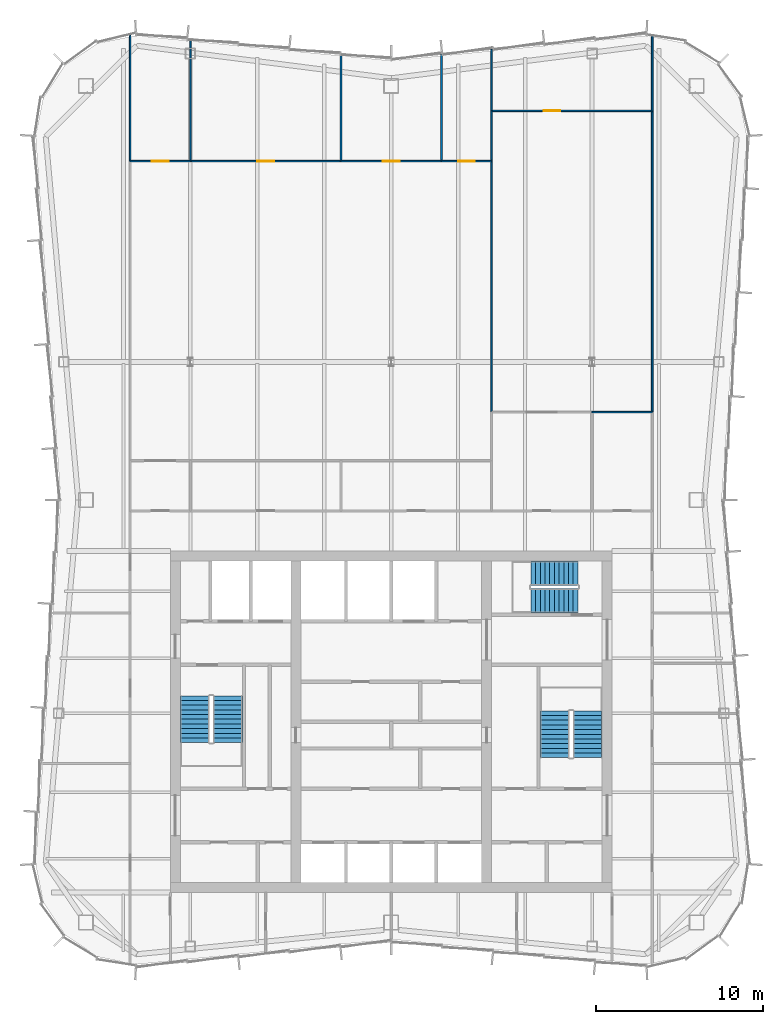
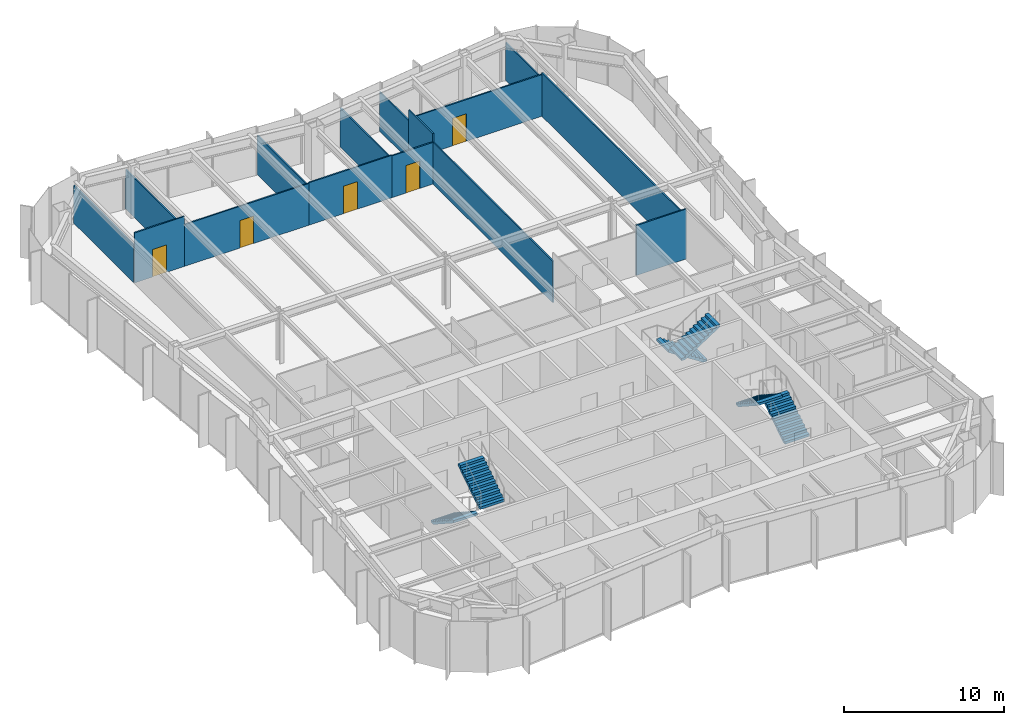
# One storey, part 12 of 13: 15 walls, 6 stair flights, 5 doors, 5 openings, 3 elements without a shape of their own.
"""IFC4 building model written with IfcOpenShell, lengths in metres."""

from ifc_helpers import new_model, si_unit, direction, frame, frame_2d, origin, place, context, subcontext, project, spatial, polyline, rectangle, outline, extrude, material, layer, layer_set, type_object, element, fill, aggregate, save


model = new_model("IFC4")

# Units and contexts
model_context = context("Model", 3, precision=1e-05, world=origin(), true_north=direction((0.0, 1.0)))
body_context = subcontext(model_context, "Body", "Model", "MODEL_VIEW")
ifc_project = project(units=[si_unit("LENGTHUNIT", "METRE"), si_unit("AREAUNIT", "SQUARE_METRE"), si_unit("VOLUMEUNIT", "CUBIC_METRE"), si_unit("PLANEANGLEUNIT", "RADIAN"), si_unit("MASSUNIT", "GRAM", prefix="KILO")], contexts=[model_context])

# Site, building, storey
site_placement = place(None, origin())
site = spatial("IfcSite", under=ifc_project, at=site_placement, CompositionType="ELEMENT")
building_placement = place(site_placement, origin())
building = spatial("IfcBuilding", under=site, at=building_placement, Name="Verdant Reach Tower", CompositionType="ELEMENT")
storey_placement = place(building_placement, frame((0.0, 0.0, 330.0)))
storey = spatial("IfcBuildingStorey", under=building, at=storey_placement, Name="L76", CompositionType="ELEMENT", Elevation=330.0)

# Walls
ifc_material_1 = material(Name="Gypsum board on steel studs", Category="steel")
ifc_layer = layer(ifc_material_1, 0.10009765625)
ifc_layer_set = layer_set([ifc_layer], Name="FL-W1 Partition 100")
wall_type = type_object("IfcWallType", Name="FL-W1 Partition 100", PredefinedType="PARTITIONING", material=ifc_layer_set)
wall_1_placement = place(storey_placement, frame((-15.60009765625, 61.5, 0.0), z_axis=(0.0, 0.0, 1.0), x_axis=(0.0, 1.0, 0.0)))
element("IfcWall", 1, at=wall_1_placement, inside=storey, type_object=wall_type, Name="Partition 76.20", PredefinedType="PARTITIONING", context=body_context, shape_type="SweptSolid", body=[
    extrude(rectangle(XDim=7.510498046875, YDim=0.10009765625, at=frame_2d((3.75537109375, 0.0))), origin(), (0.0, 0.0, 1.0), 2.8798828125),
])
wall_2_placement = place(storey_placement, frame((15.60009765625, 64.5, 0.0), z_axis=(0.0, 0.0, 1.0), x_axis=(0.0, -1.0, 0.0)))
element("IfcWall", 2, at=wall_2_placement, inside=storey, type_object=wall_type, Name="Partition 76.26", PredefinedType="PARTITIONING", context=body_context, shape_type="SweptSolid", body=[
    extrude(rectangle(XDim=18.0, YDim=0.10009765625, at=frame_2d((9.0, 0.0))), origin(), (0.0, 0.0, 1.0), 3.300048828125),
])
wall_3_placement = place(storey_placement, frame((15.60009765625, 69.010498046875, 0.0), z_axis=(0.0, 0.0, 1.0), x_axis=(0.0, -1.0, 0.0)))
element("IfcWall", 3, at=wall_3_placement, inside=storey, type_object=wall_type, Name="Partition 76.27", PredefinedType="PARTITIONING", context=body_context, shape_type="SweptSolid", body=[
    extrude(rectangle(XDim=4.510498046875, YDim=0.10009765625, at=frame_2d((2.25537109375, 0.0))), origin(), (0.0, 0.0, 1.0), 2.8798828125),
])

# Wall, opening, door
wall_4_placement = place(storey_placement, frame((-15.60009765625, 61.5, 0.0), z_axis=(0.0, 0.0, 1.0), x_axis=(1.0, 0.0, 0.0)))
wall_4 = element("IfcWall", 4, at=wall_4_placement, inside=storey, type_object=wall_type, Name="Partition 76.37", PredefinedType="PARTITIONING", context=body_context, shape_type="SweptSolid", body=[
    extrude(rectangle(XDim=3.60009765625, YDim=0.10009765625, at=frame_2d((1.800048828125, 0.0))), origin(), (0.0, 0.0, 1.0), 3.820068359375),
])
opening_1_placement = place(wall_4_placement, frame((1.300048828125, 0.0, 0.0)))
opening_1 = element("IfcOpeningElement", 5, at=opening_1_placement, cuts=wall_4, Name="Opening D3", PredefinedType="OPENING", context=body_context, shape_type="SweptSolid", body=[
    extrude(rectangle(XDim=1.0, YDim=2.10009765625, at=frame_2d((0.5, 1.050048828125))), frame((0.0, 0.06005859375, 0.0), z_axis=(0.0, -1.0, 0.0), x_axis=(1.0, 0.0, 0.0)), (0.0, 0.0, 1.0), 0.1201171875),
])
ifc_material_2 = material(Name="Painted timber door leaf", Category="wood")
door_type = type_object("IfcDoorType", Name="FL-D3 Door 1000x2100", OperationType="NOTDEFINED", PredefinedType="DOOR", material=ifc_material_2)
door_1_placement = place(opening_1_placement, origin())
door_1 = element("IfcDoor", 6, at=door_1_placement, inside=storey, type_object=door_type, Name="Door 76-019", OperationType="SINGLE_SWING_LEFT", OverallHeight=2.10009765625, OverallWidth=1.0, PredefinedType="DOOR", context=body_context, shape_type="SweptSolid", body=[
    extrude(rectangle(XDim=1.0, YDim=2.10009765625, at=frame_2d((0.5, 1.050048828125))), frame((0.0, 0.02490234375, 0.0), z_axis=(0.0, -1.0, 0.0), x_axis=(1.0, 0.0, 0.0)), (0.0, 0.0, 1.0), 0.050048828125),
])
fill(opening_1, door_1)

wall_5_placement = place(storey_placement, frame((-12.0, 61.5, 0.0), z_axis=(0.0, 0.0, 1.0), x_axis=(1.0, 0.0, 0.0)))
wall_5 = element("IfcWall", 7, at=wall_5_placement, inside=storey, type_object=wall_type, Name="Partition 76.38", PredefinedType="PARTITIONING", context=body_context, shape_type="SweptSolid", body=[
    extrude(rectangle(XDim=9.0, YDim=0.10009765625, at=frame_2d((4.5, 0.0))), origin(), (0.0, 0.0, 1.0), 3.18994140625),
])
opening_2_placement = place(wall_5_placement, frame((4.0, 0.0, 0.0)))
opening_2 = element("IfcOpeningElement", 8, at=opening_2_placement, cuts=wall_5, Name="Opening D3", PredefinedType="OPENING", context=body_context, shape_type="SweptSolid", body=[
    extrude(rectangle(XDim=1.0, YDim=2.10009765625, at=frame_2d((0.5, 1.050048828125))), frame((0.0, 0.06005859375, 0.0), z_axis=(0.0, -1.0, 0.0), x_axis=(1.0, 0.0, 0.0)), (0.0, 0.0, 1.0), 0.1201171875),
])
door_2_placement = place(opening_2_placement, origin())
door_2 = element("IfcDoor", 9, at=door_2_placement, inside=storey, type_object=door_type, Name="Door 76-020", OperationType="SINGLE_SWING_RIGHT", OverallHeight=2.10009765625, OverallWidth=1.0, PredefinedType="DOOR", context=body_context, shape_type="SweptSolid", body=[
    extrude(rectangle(XDim=1.0, YDim=2.10009765625, at=frame_2d((0.5, 1.050048828125))), frame((0.0, 0.02490234375, 0.0), z_axis=(0.0, -1.0, 0.0), x_axis=(1.0, 0.0, 0.0)), (0.0, 0.0, 1.0), 0.050048828125),
])
fill(opening_2, door_2)

wall_6_placement = place(storey_placement, frame((-3.0, 61.5, 0.0), z_axis=(0.0, 0.0, 1.0), x_axis=(1.0, 0.0, 0.0)))
wall_6 = element("IfcWall", 10, at=wall_6_placement, inside=storey, type_object=wall_type, Name="Partition 76.39", PredefinedType="PARTITIONING", context=body_context, shape_type="SweptSolid", body=[
    extrude(rectangle(XDim=6.0, YDim=0.10009765625, at=frame_2d((3.0, 0.0))), origin(), (0.0, 0.0, 1.0), 3.239990234375),
])
opening_3_placement = place(wall_6_placement, frame((2.5, 0.0, 0.0)))
opening_3 = element("IfcOpeningElement", 11, at=opening_3_placement, cuts=wall_6, Name="Opening D3", PredefinedType="OPENING", context=body_context, shape_type="SweptSolid", body=[
    extrude(rectangle(XDim=1.0, YDim=2.10009765625, at=frame_2d((0.5, 1.050048828125))), frame((0.0, 0.06005859375, 0.0), z_axis=(0.0, -1.0, 0.0), x_axis=(1.0, 0.0, 0.0)), (0.0, 0.0, 1.0), 0.1201171875),
])
door_3_placement = place(opening_3_placement, origin())
door_3 = element("IfcDoor", 12, at=door_3_placement, inside=storey, type_object=door_type, Name="Door 76-021", OperationType="SINGLE_SWING_LEFT", OverallHeight=2.10009765625, OverallWidth=1.0, PredefinedType="DOOR", context=body_context, shape_type="SweptSolid", body=[
    extrude(rectangle(XDim=1.0, YDim=2.10009765625, at=frame_2d((0.5, 1.050048828125))), frame((0.0, 0.02490234375, 0.0), z_axis=(0.0, -1.0, 0.0), x_axis=(1.0, 0.0, 0.0)), (0.0, 0.0, 1.0), 0.050048828125),
])
fill(opening_3, door_3)

wall_7_placement = place(storey_placement, frame((3.0, 61.5, 0.0), z_axis=(0.0, 0.0, 1.0), x_axis=(1.0, 0.0, 0.0)))
wall_7 = element("IfcWall", 13, at=wall_7_placement, inside=storey, type_object=wall_type, Name="Partition 76.40", PredefinedType="PARTITIONING", context=body_context, shape_type="SweptSolid", body=[
    extrude(rectangle(XDim=3.0, YDim=0.10009765625, at=frame_2d((1.5, 0.0))), origin(), (0.0, 0.0, 1.0), 3.18994140625),
])
opening_4_placement = place(wall_7_placement, frame((1.0, 0.0, 0.0)))
opening_4 = element("IfcOpeningElement", 14, at=opening_4_placement, cuts=wall_7, Name="Opening D3", PredefinedType="OPENING", context=body_context, shape_type="SweptSolid", body=[
    extrude(rectangle(XDim=1.0, YDim=2.10009765625, at=frame_2d((0.5, 1.050048828125))), frame((0.0, 0.06005859375, 0.0), z_axis=(0.0, -1.0, 0.0), x_axis=(1.0, 0.0, 0.0)), (0.0, 0.0, 1.0), 0.1201171875),
])
door_4_placement = place(opening_4_placement, origin())
door_4 = element("IfcDoor", 15, at=door_4_placement, inside=storey, type_object=door_type, Name="Door 76-022", OperationType="SINGLE_SWING_RIGHT", OverallHeight=2.10009765625, OverallWidth=1.0, PredefinedType="DOOR", context=body_context, shape_type="SweptSolid", body=[
    extrude(rectangle(XDim=1.0, YDim=2.10009765625, at=frame_2d((0.5, 1.050048828125))), frame((0.0, 0.02490234375, 0.0), z_axis=(0.0, -1.0, 0.0), x_axis=(1.0, 0.0, 0.0)), (0.0, 0.0, 1.0), 0.050048828125),
])
fill(opening_4, door_4)

# Walls
wall_8_placement = place(storey_placement, frame((6.0, 46.5, 0.0), z_axis=(0.0, 0.0, 1.0), x_axis=(0.0, 1.0, 0.0)))
element("IfcWall", 16, at=wall_8_placement, inside=storey, type_object=wall_type, Name="Partition 76.42", PredefinedType="PARTITIONING", context=body_context, shape_type="SweptSolid", body=[
    extrude(rectangle(XDim=15.00390625, YDim=0.10009765625, at=frame_2d((7.501953125, 0.0))), origin(), (0.0, 0.0, 1.0), 3.18994140625),
])
wall_9_placement = place(storey_placement, frame((-12.0, 61.5, 0.0), z_axis=(0.0, 0.0, 1.0), x_axis=(0.0, 1.0, 0.0)))
element("IfcWall", 17, at=wall_9_placement, inside=storey, type_object=wall_type, Name="Partition 76.43", PredefinedType="PARTITIONING", context=body_context, shape_type="SweptSolid", body=[
    extrude(rectangle(XDim=7.26025390625, YDim=0.10009765625, at=frame_2d((3.630126953125, 0.0))), origin(), (0.0, 0.0, 1.0), 2.989990234375),
])
for number, where, z_axis, x_axis, name in (
    (18, (-3.0, 61.5, 0.0), (0.0, 0.0, 1.0), (0.0, 1.0, 0.0), "Partition 76.44"),
    (19, (3.0, 61.5, 0.0), (0.0, 0.0, 1.0), (0.0, 1.0, 0.0), "Partition 76.45"),
):
    element("IfcWall", number, at=place(storey_placement, frame(where, z_axis=z_axis, x_axis=x_axis)), inside=storey, type_object=wall_type, Name=name, PredefinedType="PARTITIONING", context=body_context, shape_type="SweptSolid", body=[
        extrude(rectangle(XDim=6.375, YDim=0.10009765625, at=frame_2d((3.1875, 0.0))), origin(), (0.0, 0.0, 1.0), 2.989990234375),
    ])
wall_10_placement = place(storey_placement, frame((6.0, 61.49609375, 0.0), z_axis=(0.0, 0.0, 1.0), x_axis=(0.0, 1.0, 0.0)))
element("IfcWall", 20, at=wall_10_placement, inside=storey, type_object=wall_type, Name="Partition 76.46", PredefinedType="PARTITIONING", context=body_context, shape_type="SweptSolid", body=[
    extrude(rectangle(XDim=3.00390625, YDim=0.10009765625, at=frame_2d((1.501953125, 0.0))), origin(), (0.0, 0.0, 1.0), 3.820068359375),
])
wall_11_placement = place(storey_placement, frame((6.0, 64.5, 0.0), z_axis=(0.0, 0.0, 1.0), x_axis=(0.0, 1.0, 0.0)))
element("IfcWall", 21, at=wall_11_placement, inside=storey, type_object=wall_type, Name="Partition 76.47", PredefinedType="PARTITIONING", context=body_context, shape_type="SweptSolid", body=[
    extrude(rectangle(XDim=3.670166015625, YDim=0.10009765625, at=frame_2d((1.8349609375, 0.0))), origin(), (0.0, 0.0, 1.0), 2.989990234375),
])
wall_12_placement = place(storey_placement, frame((15.60009765625, 46.5, 0.0), z_axis=(0.0, 0.0, 1.0), x_axis=(-1.0, 0.0, 0.0)))
element("IfcWall", 22, at=wall_12_placement, inside=storey, type_object=wall_type, Name="Partition 76.50", PredefinedType="PARTITIONING", context=body_context, shape_type="SweptSolid", body=[
    extrude(rectangle(XDim=3.60400390625, YDim=0.10009765625, at=frame_2d((1.802001953125, 0.0))), origin(), (0.0, 0.0, 1.0), 3.820068359375),
])

# Wall, opening, door
wall_13_placement = place(storey_placement, frame((6.0, 64.5, 0.0), z_axis=(0.0, 0.0, 1.0), x_axis=(1.0, 0.0, 0.0)))
wall_13 = element("IfcWall", 23, at=wall_13_placement, inside=storey, type_object=wall_type, Name="Partition 76.51", PredefinedType="PARTITIONING", context=body_context, shape_type="SweptSolid", body=[
    extrude(rectangle(XDim=9.60009765625, YDim=0.10009765625, at=frame_2d((4.800048828125, 0.0))), origin(), (0.0, 0.0, 1.0), 3.18994140625),
])
opening_5_placement = place(wall_13_placement, frame((3.10009765625, 0.0, 0.0)))
opening_5 = element("IfcOpeningElement", 24, at=opening_5_placement, cuts=wall_13, Name="Opening D3", PredefinedType="OPENING", context=body_context, shape_type="SweptSolid", body=[
    extrude(rectangle(XDim=1.0, YDim=2.10009765625, at=frame_2d((0.5, 1.050048828125))), frame((0.0, 0.06005859375, 0.0), z_axis=(0.0, -1.0, 0.0), x_axis=(1.0, 0.0, 0.0)), (0.0, 0.0, 1.0), 0.1201171875),
])
door_5_placement = place(opening_5_placement, origin())
door_5 = element("IfcDoor", 25, at=door_5_placement, inside=storey, type_object=door_type, Name="Door 76-024", OperationType="SINGLE_SWING_LEFT", OverallHeight=2.10009765625, OverallWidth=1.0, PredefinedType="DOOR", context=body_context, shape_type="SweptSolid", body=[
    extrude(rectangle(XDim=1.0, YDim=2.10009765625, at=frame_2d((0.5, 1.050048828125))), frame((0.0, 0.02490234375, 0.0), z_axis=(0.0, -1.0, 0.0), x_axis=(1.0, 0.0, 0.0)), (0.0, 0.0, 1.0), 0.050048828125),
])
fill(opening_5, door_5)

# Stair, stair flights
ifc_material_3 = material(Name="Concrete C40/50", Category="concrete")
stair_type = type_object("IfcStairType", Name="CO-STAIR", PredefinedType="HALF_TURN_STAIR", material=ifc_material_3)
stair_1_placement = place(storey_placement, origin())
stair_1 = element("IfcStair", 26, at=stair_1_placement, inside=storey, type_object=stair_type, Name="L76 Exit stair 1", PredefinedType="HALF_TURN_STAIR")
stair_flight_type = type_object("IfcStairFlightType", Name="CO-STAIR-FLIGHT", PredefinedType="STRAIGHT", material=ifc_material_3)
stair_flight_1_placement = place(storey_placement, frame((-11.72509765625, 29.550048828125, 0.0), z_axis=(0.0, 0.0, 1.0), x_axis=(0.0, -1.0, 0.0)))
stair_flight_1 = element("IfcStairFlight", 27, at=stair_flight_1_placement, type_object=stair_flight_type, Name="ST-1 flight 1", NumberOfRisers=11, NumberOfTreads=10, PredefinedType="STRAIGHT", RiserHeight=0.181818182, TreadLength=0.28, context=body_context, shape_type="SweptSolid", body=[
    extrude(outline(polyline([(0.0, 0.0), (0.0, 0.181884765625), (0.280029296875, 0.181884765625), (0.280029296875, 0.363525390625), (0.56005859375, 0.363525390625), (0.56005859375, 0.54541015625), (0.840087890625, 0.54541015625), (0.840087890625, 0.727294921875), (1.1201171875, 0.727294921875), (1.1201171875, 0.9091796875), (1.39990234375, 0.9091796875), (1.39990234375, 1.0908203125), (1.679931640625, 1.0908203125), (1.679931640625, 1.272705078125), (1.9599609375, 1.272705078125), (1.9599609375, 1.45458984375), (2.239990234375, 1.45458984375), (2.239990234375, 1.636474609375), (2.52001953125, 1.636474609375), (2.52001953125, 1.818115234375), (2.800048828125, 1.818115234375), (2.800048828125, 2.0), (2.800048828125, 1.639404296875), (0.275146484375, 0.0), (0.0, 0.0)])), frame((0.0, 0.875, 0.0), z_axis=(0.0, -1.0, 0.0), x_axis=(1.0, 0.0, 0.0)), (0.0, 0.0, 1.0), 1.75),
])
stair_flight_2_placement = place(storey_placement, frame((-9.77490234375, 26.75, 2.0), z_axis=(0.0, 0.0, 1.0), x_axis=(0.0, 1.0, 0.0)))
stair_flight_2 = element("IfcStairFlight", 28, at=stair_flight_2_placement, type_object=stair_flight_type, Name="ST-1 flight 2", NumberOfRisers=11, NumberOfTreads=10, PredefinedType="STRAIGHT", RiserHeight=0.181818182, TreadLength=0.28, context=body_context, shape_type="SweptSolid", body=[
    extrude(outline(polyline([(0.0, 0.0), (0.0, 0.181884765625), (0.280029296875, 0.181884765625), (0.280029296875, 0.363525390625), (0.56005859375, 0.363525390625), (0.56005859375, 0.54541015625), (0.840087890625, 0.54541015625), (0.840087890625, 0.727294921875), (1.1201171875, 0.727294921875), (1.1201171875, 0.9091796875), (1.39990234375, 0.9091796875), (1.39990234375, 1.0908203125), (1.679931640625, 1.0908203125), (1.679931640625, 1.272705078125), (1.9599609375, 1.272705078125), (1.9599609375, 1.45458984375), (2.239990234375, 1.45458984375), (2.239990234375, 1.636474609375), (2.52001953125, 1.636474609375), (2.52001953125, 1.818115234375), (2.800048828125, 1.818115234375), (2.800048828125, 2.0), (2.800048828125, 1.639404296875), (0.275146484375, 0.0), (0.0, 0.0)])), frame((0.0, 0.875, 0.0), z_axis=(0.0, -1.0, 0.0), x_axis=(1.0, 0.0, 0.0)), (0.0, 0.0, 1.0), 1.75),
])
aggregate(stair_1, [stair_flight_1, stair_flight_2])

stair_2_placement = place(storey_placement, origin())
stair_2 = element("IfcStair", 29, at=stair_2_placement, inside=storey, type_object=stair_type, Name="L76 Exit stair 2", PredefinedType="HALF_TURN_STAIR")
stair_flight_3_placement = place(storey_placement, frame((11.72509765625, 25.85009765625, 0.0), z_axis=(0.0, 0.0, 1.0), x_axis=(0.0, 1.0, 0.0)))
stair_flight_3 = element("IfcStairFlight", 30, at=stair_flight_3_placement, type_object=stair_flight_type, Name="ST-2 flight 1", NumberOfRisers=11, NumberOfTreads=10, PredefinedType="STRAIGHT", RiserHeight=0.181818182, TreadLength=0.28, context=body_context, shape_type="SweptSolid", body=[
    extrude(outline(polyline([(0.0, 0.0), (0.0, 0.181884765625), (0.280029296875, 0.181884765625), (0.280029296875, 0.363525390625), (0.56005859375, 0.363525390625), (0.56005859375, 0.54541015625), (0.840087890625, 0.54541015625), (0.840087890625, 0.727294921875), (1.1201171875, 0.727294921875), (1.1201171875, 0.9091796875), (1.39990234375, 0.9091796875), (1.39990234375, 1.0908203125), (1.679931640625, 1.0908203125), (1.679931640625, 1.272705078125), (1.9599609375, 1.272705078125), (1.9599609375, 1.45458984375), (2.239990234375, 1.45458984375), (2.239990234375, 1.636474609375), (2.52001953125, 1.636474609375), (2.52001953125, 1.818115234375), (2.800048828125, 1.818115234375), (2.800048828125, 2.0), (2.800048828125, 1.639404296875), (0.275146484375, 0.0), (0.0, 0.0)])), frame((0.0, 0.875, 0.0), z_axis=(0.0, -1.0, 0.0), x_axis=(1.0, 0.0, 0.0)), (0.0, 0.0, 1.0), 1.75),
])
stair_flight_4_placement = place(storey_placement, frame((9.77490234375, 28.64990234375, 2.0), z_axis=(0.0, 0.0, 1.0), x_axis=(0.0, -1.0, 0.0)))
stair_flight_4 = element("IfcStairFlight", 31, at=stair_flight_4_placement, type_object=stair_flight_type, Name="ST-2 flight 2", NumberOfRisers=11, NumberOfTreads=10, PredefinedType="STRAIGHT", RiserHeight=0.181818182, TreadLength=0.28, context=body_context, shape_type="SweptSolid", body=[
    extrude(outline(polyline([(0.0, 0.0), (0.0, 0.181884765625), (0.280029296875, 0.181884765625), (0.280029296875, 0.363525390625), (0.56005859375, 0.363525390625), (0.56005859375, 0.54541015625), (0.840087890625, 0.54541015625), (0.840087890625, 0.727294921875), (1.1201171875, 0.727294921875), (1.1201171875, 0.9091796875), (1.39990234375, 0.9091796875), (1.39990234375, 1.0908203125), (1.679931640625, 1.0908203125), (1.679931640625, 1.272705078125), (1.9599609375, 1.272705078125), (1.9599609375, 1.45458984375), (2.239990234375, 1.45458984375), (2.239990234375, 1.636474609375), (2.52001953125, 1.636474609375), (2.52001953125, 1.818115234375), (2.800048828125, 1.818115234375), (2.800048828125, 2.0), (2.800048828125, 1.639404296875), (0.275146484375, 0.0), (0.0, 0.0)])), frame((0.0, 0.875, 0.0), z_axis=(0.0, -1.0, 0.0), x_axis=(1.0, 0.0, 0.0)), (0.0, 0.0, 1.0), 1.75),
])
aggregate(stair_2, [stair_flight_3, stair_flight_4])

stair_3_placement = place(storey_placement, origin())
stair_3 = element("IfcStair", 32, at=stair_3_placement, inside=storey, type_object=stair_type, Name="L76 Exit stair 3", PredefinedType="HALF_TURN_STAIR")
stair_flight_5_placement = place(storey_placement, frame((11.14990234375, 36.875, 0.0), z_axis=(0.0, 0.0, 1.0), x_axis=(-1.0, 0.0, 0.0)))
stair_flight_5 = element("IfcStairFlight", 33, at=stair_flight_5_placement, type_object=stair_flight_type, Name="ST-3 flight 1", NumberOfRisers=11, NumberOfTreads=10, PredefinedType="STRAIGHT", RiserHeight=0.181818182, TreadLength=0.28, context=body_context, shape_type="SweptSolid", body=[
    extrude(outline(polyline([(0.0, 0.0), (0.0, 0.181884765625), (0.280029296875, 0.181884765625), (0.280029296875, 0.363525390625), (0.56005859375, 0.363525390625), (0.56005859375, 0.54541015625), (0.840087890625, 0.54541015625), (0.840087890625, 0.727294921875), (1.1201171875, 0.727294921875), (1.1201171875, 0.9091796875), (1.39990234375, 0.9091796875), (1.39990234375, 1.0908203125), (1.679931640625, 1.0908203125), (1.679931640625, 1.272705078125), (1.9599609375, 1.272705078125), (1.9599609375, 1.45458984375), (2.239990234375, 1.45458984375), (2.239990234375, 1.636474609375), (2.52001953125, 1.636474609375), (2.52001953125, 1.818115234375), (2.800048828125, 1.818115234375), (2.800048828125, 2.0), (2.800048828125, 1.639404296875), (0.275146484375, 0.0), (0.0, 0.0)])), frame((0.0, 0.72509765625, 0.0), z_axis=(0.0, -1.0, 0.0), x_axis=(1.0, 0.0, 0.0)), (0.0, 0.0, 1.0), 1.449951171875),
])
stair_flight_6_placement = place(storey_placement, frame((8.35009765625, 35.22509765625, 2.0), z_axis=(0.0, 0.0, 1.0), x_axis=(1.0, 0.0, 0.0)))
stair_flight_6 = element("IfcStairFlight", 34, at=stair_flight_6_placement, type_object=stair_flight_type, Name="ST-3 flight 2", NumberOfRisers=11, NumberOfTreads=10, PredefinedType="STRAIGHT", RiserHeight=0.181818182, TreadLength=0.28, context=body_context, shape_type="SweptSolid", body=[
    extrude(outline(polyline([(0.0, 0.0), (0.0, 0.181884765625), (0.280029296875, 0.181884765625), (0.280029296875, 0.363525390625), (0.56005859375, 0.363525390625), (0.56005859375, 0.54541015625), (0.840087890625, 0.54541015625), (0.840087890625, 0.727294921875), (1.1201171875, 0.727294921875), (1.1201171875, 0.9091796875), (1.39990234375, 0.9091796875), (1.39990234375, 1.0908203125), (1.679931640625, 1.0908203125), (1.679931640625, 1.272705078125), (1.9599609375, 1.272705078125), (1.9599609375, 1.45458984375), (2.239990234375, 1.45458984375), (2.239990234375, 1.636474609375), (2.52001953125, 1.636474609375), (2.52001953125, 1.818115234375), (2.800048828125, 1.818115234375), (2.800048828125, 2.0), (2.800048828125, 1.639404296875), (0.275146484375, 0.0), (0.0, 0.0)])), frame((0.0, 0.72509765625, 0.0), z_axis=(0.0, -1.0, 0.0), x_axis=(1.0, 0.0, 0.0)), (0.0, 0.0, 1.0), 1.449951171875),
])
aggregate(stair_3, [stair_flight_5, stair_flight_6])

save(model, "model.ifc")
